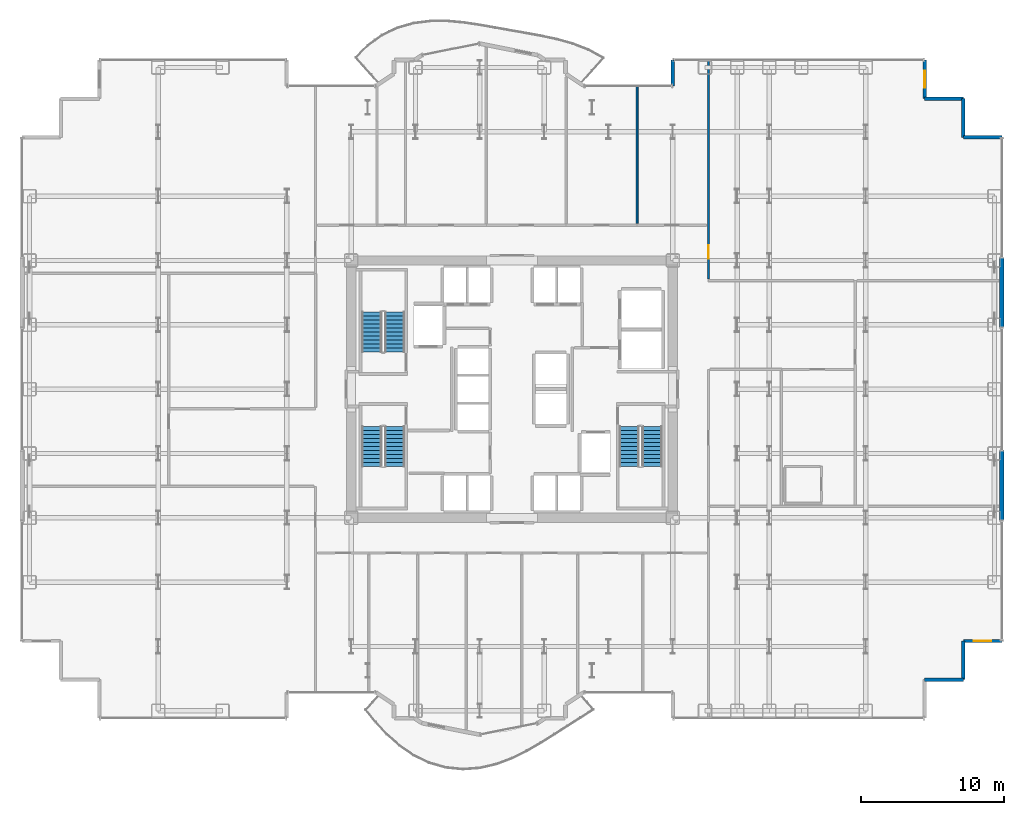
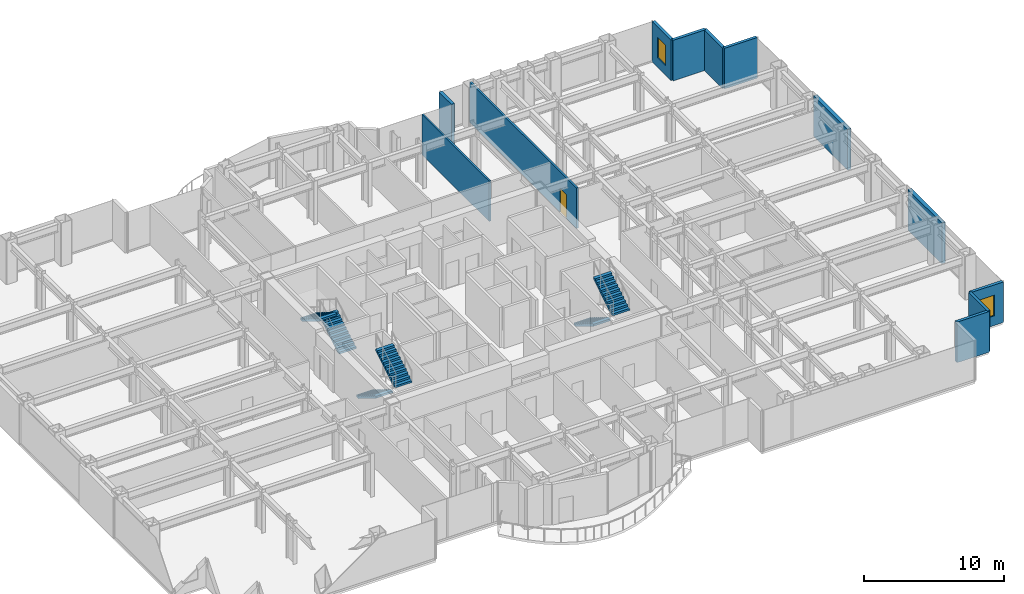
# One storey, part 27 of 29: 12 walls, 6 stair flights, 2 windows, 1 door, 3 openings, 3 elements without a shape of their own.
"""IFC4 building model written with IfcOpenShell, lengths in metres."""

from ifc_helpers import new_model, si_unit, direction, frame, frame_2d, origin, place, context, subcontext, project, spatial, polyline, rectangle, outline, extrude, source, transform, mapped, material, layer, layer_set, type_object, element, fill, aggregate, save


model = new_model("IFC4")

# Units and contexts
model_context = context("Model", 3, precision=1e-05, world=origin(), true_north=direction((0.0, 1.0)))
body_context = subcontext(model_context, "Body", "Model", "MODEL_VIEW")
ifc_project = project(units=[si_unit("LENGTHUNIT", "METRE"), si_unit("AREAUNIT", "SQUARE_METRE"), si_unit("VOLUMEUNIT", "CUBIC_METRE"), si_unit("PLANEANGLEUNIT", "RADIAN"), si_unit("MASSUNIT", "GRAM", prefix="KILO")], contexts=[model_context])

# Site, building, storey
site_placement = place(None, origin())
site = spatial("IfcSite", under=ifc_project, at=site_placement, CompositionType="ELEMENT")
building_placement = place(site_placement, origin())
building = spatial("IfcBuilding", under=site, at=building_placement, Name="Nefas-Gora Pilgrimage Tower", CompositionType="ELEMENT")
storey_placement = place(building_placement, frame((0.0, 0.0, 78.60009765625)))
storey = spatial("IfcBuildingStorey", under=building, at=storey_placement, Name="L18", CompositionType="ELEMENT", Elevation=78.60009765625)

# Walls
ifc_material_1 = material(Name="Precast concrete C40/50", Category="concrete")
ifc_layer_1 = layer(ifc_material_1, 0.260009765625)
ifc_layer_set_1 = layer_set([ifc_layer_1], Name="Precast concrete C40/50")
wall_type_1 = type_object("IfcWallType", Name="EW-PORTAL-260", PredefinedType="SOLIDWALL", material=ifc_layer_set_1)
shared_shape_1 = source(origin(), body_context, "Body", "SweptSolid", [
    extrude(rectangle(XDim=1.800048828125, YDim=0.260009765625, at=frame_2d((0.89990234375, 0.0))), origin(), (0.0, 0.0, 1.0), 3.5498046875),
])
wall_1_placement = place(storey_placement, frame((11.25, 23.02001953125, 0.0), z_axis=(0.0, 0.0, 1.0), x_axis=(0.0, -1.0, 0.0)))
element("IfcWall", 1, at=wall_1_placement, inside=storey, type_object=wall_type_1, Name="L18 Lobe Shoulder Precast Spandrel Pier 14", PredefinedType="SOLIDWALL", context=body_context, shape_type="MappedRepresentation", body=[
    mapped(shared_shape_1, transform((0.0, 0.0, 0.0), x_axis=(1.0, 0.0, 0.0), y_axis=(0.0, 1.0, 0.0), z_axis=(0.0, 0.0, 1.0), scale=1.0)),
])
ifc_material_2 = material(Name="Precast concrete C45/55", Category="concrete")
ifc_layer_2 = layer(ifc_material_2, 0.239990234375)
ifc_layer_set_2 = layer_set([ifc_layer_2], Name="Precast concrete C45/55")
wall_type_2 = type_object("IfcWallType", Name="EW-SERR-240", PredefinedType="SHEAR", material=ifc_layer_set_2)
shared_shape_2 = source(origin(), body_context, "Body", "SweptSolid", [
    extrude(rectangle(XDim=2.699951171875, YDim=0.239990234375, at=frame_2d((1.35009765625, 0.0))), origin(), (0.0, 0.0, 1.0), 3.5498046875),
])
for number, where, z_axis, x_axis, name in (
    (2, (28.8701171875, -20.320068359375, 0.0), (0.0, 0.0, 1.0), (1.0, 0.0, 0.0), "L18 Serrated Corner Shear Pier Wall 7"),
    (3, (31.570068359375, -20.320068359375, 0.0), (0.0, 0.0, 1.0), (0.0, 1.0, 0.0), "L18 Serrated Corner Shear Pier Wall 8"),
):
    element("IfcWall", number, at=place(storey_placement, frame(where, z_axis=z_axis, x_axis=x_axis)), inside=storey, type_object=wall_type_2, Name=name, PredefinedType="SHEAR", context=body_context, shape_type="MappedRepresentation", body=[
        mapped(shared_shape_2, transform((0.0, 0.0, 0.0), x_axis=(1.0, 0.0, 0.0), y_axis=(0.0, 1.0, 0.0), z_axis=(0.0, 0.0, 1.0), scale=1.0)),
    ])

# Wall, opening, window
wall_2_placement = place(storey_placement, frame((31.570068359375, -17.6201171875, 0.0), z_axis=(0.0, 0.0, 1.0), x_axis=(1.0, 0.0, 0.0)))
wall_2 = element("IfcWall", 4, at=wall_2_placement, inside=storey, type_object=wall_type_2, Name="L18 Serrated Corner Shear Pier Wall 9", PredefinedType="SHEAR", context=body_context, shape_type="MappedRepresentation", body=[
    mapped(shared_shape_2, transform((0.0, 0.0, 0.0), x_axis=(1.0, 0.0, 0.0), y_axis=(0.0, 1.0, 0.0), z_axis=(0.0, 0.0, 1.0), scale=1.0)),
])
opening_1_placement = place(wall_2_placement, frame((0.75, 0.0, 0.85009765625)))
opening_1 = element("IfcOpeningElement", 5, at=opening_1_placement, cuts=wall_2, Name="Opening W-V1", PredefinedType="OPENING", context=body_context, shape_type="SweptSolid", body=[
    extrude(rectangle(XDim=1.199951171875, YDim=1.800048828125, at=frame_2d((0.60009765625, 0.89990234375))), frame((0.0, 0.1298828125, 0.0), z_axis=(0.0, -1.0, 0.0), x_axis=(1.0, 0.0, 0.0)), (0.0, 0.0, 1.0), 0.260009765625),
])
ifc_material_3 = material(Name="Dark ceramic-fritted operable aluminium-glass window", Category="aluminium")
window_type = type_object("IfcWindowType", Name="WIN-VENT-1200x1800", PartitioningType="SINGLE_PANEL", PredefinedType="WINDOW", material=ifc_material_3)
shared_shape_3 = source(origin(), body_context, "Body", "SweptSolid", [
    extrude(rectangle(XDim=1.199951171875, YDim=1.800048828125, at=frame_2d((0.60009765625, 0.89990234375))), frame((0.0, 0.030029296875, 0.0), z_axis=(0.0, -1.0, 0.0), x_axis=(1.0, 0.0, 0.0)), (0.0, 0.0, 1.0), 0.06005859375),
])
window_1_placement = place(opening_1_placement, origin())
window_1 = element("IfcWindow", 6, at=window_1_placement, inside=storey, type_object=window_type, Name="L18 Operable Parallel-Outswing Window 9", OverallHeight=1.800048828125, OverallWidth=1.199951171875, PartitioningType="SINGLE_PANEL", PredefinedType="WINDOW", context=body_context, shape_type="MappedRepresentation", body=[
    mapped(shared_shape_3, transform((0.0, 0.0, 0.0), x_axis=(1.0, 0.0, 0.0), y_axis=(0.0, 1.0, 0.0), z_axis=(0.0, 0.0, 1.0), scale=1.0)),
])
fill(opening_1, window_1)

# Walls
for number, where, z_axis, x_axis, name in (
    (7, (34.27001953125, 17.6201171875, 0.0), (0.0, 0.0, 1.0), (-1.0, 0.0, 0.0), "L18 Serrated Corner Shear Pier Wall 10"),
    (8, (31.570068359375, 17.6201171875, 0.0), (0.0, 0.0, 1.0), (0.0, 1.0, 0.0), "L18 Serrated Corner Shear Pier Wall 11"),
    (9, (31.570068359375, 20.320068359375, 0.0), (0.0, 0.0, 1.0), (-1.0, 0.0, 0.0), "L18 Serrated Corner Shear Pier Wall 12"),
):
    element("IfcWall", number, at=place(storey_placement, frame(where, z_axis=z_axis, x_axis=x_axis)), inside=storey, type_object=wall_type_2, Name=name, PredefinedType="SHEAR", context=body_context, shape_type="MappedRepresentation", body=[
        mapped(shared_shape_2, transform((0.0, 0.0, 0.0), x_axis=(1.0, 0.0, 0.0), y_axis=(0.0, 1.0, 0.0), z_axis=(0.0, 0.0, 1.0), scale=1.0)),
    ])

# Wall, opening, window
wall_3_placement = place(storey_placement, frame((28.8701171875, 20.320068359375, 0.0), z_axis=(0.0, 0.0, 1.0), x_axis=(0.0, 1.0, 0.0)))
wall_3 = element("IfcWall", 10, at=wall_3_placement, inside=storey, type_object=wall_type_2, Name="L18 Serrated Corner Shear Pier Wall 13", PredefinedType="SHEAR", context=body_context, shape_type="MappedRepresentation", body=[
    mapped(shared_shape_2, transform((0.0, 0.0, 0.0), x_axis=(1.0, 0.0, 0.0), y_axis=(0.0, 1.0, 0.0), z_axis=(0.0, 0.0, 1.0), scale=1.0)),
])
opening_2_placement = place(wall_3_placement, frame((0.75, 0.0, 0.85009765625)))
opening_2 = element("IfcOpeningElement", 11, at=opening_2_placement, cuts=wall_3, Name="Opening W-V1", PredefinedType="OPENING", context=body_context, shape_type="SweptSolid", body=[
    extrude(rectangle(XDim=1.199951171875, YDim=1.800048828125, at=frame_2d((0.60009765625, 0.89990234375))), frame((0.0, 0.1298828125, 0.0), z_axis=(0.0, -1.0, 0.0), x_axis=(1.0, 0.0, 0.0)), (0.0, 0.0, 1.0), 0.260009765625),
])
window_2_placement = place(opening_2_placement, origin())
window_2 = element("IfcWindow", 12, at=window_2_placement, inside=storey, type_object=window_type, Name="L18 Operable Parallel-Outswing Window 13", OverallHeight=1.800048828125, OverallWidth=1.199951171875, PartitioningType="SINGLE_PANEL", PredefinedType="WINDOW", context=body_context, shape_type="MappedRepresentation", body=[
    mapped(shared_shape_3, transform((0.0, 0.0, 0.0), x_axis=(1.0, 0.0, 0.0), y_axis=(0.0, 1.0, 0.0), z_axis=(0.0, 0.0, 1.0), scale=1.0)),
])
fill(opening_2, window_2)

# Walls
shared_shape_4 = source(origin(), body_context, "Body", "SweptSolid", [
    extrude(rectangle(XDim=4.8798828125, YDim=0.300048828125, at=frame_2d((2.43994140625, 0.0))), origin(), (0.0, 0.0, 1.0), 3.5498046875),
])
for number, where, z_axis, x_axis, name in (
    (13, (34.27001953125, -9.18994140625, 0.0), (0.0, 0.0, 1.0), (0.0, 1.0, 0.0), "L18 Braced-Tube Precast Shear Cladding 3"),
    (14, (34.27001953125, 4.31005859375, 0.0), (0.0, 0.0, 1.0), (0.0, 1.0, 0.0), "L18 Braced-Tube Precast Shear Cladding 4"),
):
    element("IfcWall", number, at=place(storey_placement, frame(where, z_axis=z_axis, x_axis=x_axis)), inside=storey, type_object=wall_type_2, Name=name, PredefinedType="SHEAR", context=body_context, shape_type="MappedRepresentation", body=[
        mapped(shared_shape_4, transform((0.0, 0.0, 0.0), x_axis=(1.0, 0.0, 0.0), y_axis=(0.0, 1.0, 0.0), z_axis=(0.0, 0.0, 1.0), scale=1.0)),
    ])
ifc_material_4 = material(Name="Gypsum twin-stud partition")
ifc_layer_3 = layer(ifc_material_4, 0.139892578125)
ifc_layer_set_3 = layer_set([ifc_layer_3], Name="Gypsum twin-stud partition")
wall_type_3 = type_object("IfcWallType", Name="IW-UNIT-140", PredefinedType="PARTITIONING", material=ifc_layer_set_3)
shared_shape_5 = source(origin(), body_context, "Body", "SweptSolid", [
    extrude(rectangle(XDim=9.64990234375, YDim=0.139892578125, at=frame_2d((4.824951171875, 0.0))), origin(), (0.0, 0.0, 1.0), 3.534912109375),
])
wall_4_placement = place(storey_placement, frame((8.75, 11.590087890625, 0.0), z_axis=(0.0, 0.0, 1.0), x_axis=(0.0, 1.0, 0.0)))
element("IfcWall", 15, at=wall_4_placement, inside=storey, type_object=wall_type_3, Name="L18 Pilgrim Contemplative Lounge Partition Wall 50", PredefinedType="PARTITIONING", context=body_context, shape_type="MappedRepresentation", body=[
    mapped(shared_shape_5, transform((0.0, 0.0, 0.0), x_axis=(1.0, 0.0, 0.0), y_axis=(0.0, 1.0, 0.0), z_axis=(0.0, 0.0, 1.0), scale=1.0)),
])

# Wall, opening, door
ifc_material_5 = material(Name="Gypsum acoustic stud partition")
ifc_layer_4 = layer(ifc_material_5, 0.159912109375)
ifc_layer_set_4 = layer_set([ifc_layer_4], Name="Gypsum acoustic stud partition")
wall_type_4 = type_object("IfcWallType", Name="IW-CORR-160", PredefinedType="PARTITIONING", material=ifc_layer_set_4)
shared_shape_6 = source(origin(), body_context, "Body", "SweptSolid", [
    extrude(rectangle(XDim=15.3349609375, YDim=0.159912109375, at=frame_2d((7.66748046875, 0.0))), origin(), (0.0, 0.0, 1.0), 3.534912109375),
])
wall_5_placement = place(storey_placement, frame((13.739990234375, 7.705078125, 0.0), z_axis=(0.0, 0.0, 1.0), x_axis=(0.0, 1.0, 0.0)))
wall_5 = element("IfcWall", 16, at=wall_5_placement, inside=storey, type_object=wall_type_4, Name="L18 Pilgrim Contemplative Lounge Partition Wall 43", PredefinedType="PARTITIONING", context=body_context, shape_type="MappedRepresentation", body=[
    mapped(shared_shape_6, transform((0.0, 0.0, 0.0), x_axis=(1.0, 0.0, 0.0), y_axis=(0.0, 1.0, 0.0), z_axis=(0.0, 0.0, 1.0), scale=1.0)),
])
opening_3_placement = place(wall_5_placement, frame((1.427490234375, 0.0, 0.0)))
opening_3 = element("IfcOpeningElement", 17, at=opening_3_placement, cuts=wall_5, Name="Opening ID-GR1", PredefinedType="OPENING", context=body_context, shape_type="SweptSolid", body=[
    extrude(rectangle(XDim=0.949951171875, YDim=2.10009765625, at=frame_2d((0.47509765625, 1.050048828125))), frame((0.0, 0.08984375, 0.0), z_axis=(0.0, -1.0, 0.0), x_axis=(1.0, 0.0, 0.0)), (0.0, 0.0, 1.0), 0.179931640625),
])
ifc_material_6 = material(Name="Solid core oak fire-rated guest entrance door")
door_type = type_object("IfcDoorType", Name="DR-INT-GUEST-950", OperationType="NOTDEFINED", PredefinedType="DOOR", material=ifc_material_6)
shared_shape_7 = source(origin(), body_context, "Body", "SweptSolid", [
    extrude(rectangle(XDim=0.949951171875, YDim=2.10009765625, at=frame_2d((0.47509765625, 1.050048828125))), frame((0.0, 0.02490234375, 0.0), z_axis=(0.0, -1.0, 0.0), x_axis=(1.0, 0.0, 0.0)), (0.0, 0.0, 1.0), 0.050048828125),
])
door_placement = place(opening_3_placement, origin())
door = element("IfcDoor", 18, at=door_placement, inside=storey, type_object=door_type, Name="L18 Pilgrim Contemplative Lounge Door 18", OperationType="SINGLE_SWING_LEFT", OverallHeight=2.10009765625, OverallWidth=0.949951171875, PredefinedType="DOOR", context=body_context, shape_type="MappedRepresentation", body=[
    mapped(shared_shape_7, transform((0.0, 0.0, 0.0), x_axis=(1.0, 0.0, 0.0), y_axis=(0.0, 1.0, 0.0), z_axis=(0.0, 0.0, 1.0), scale=1.0)),
])
fill(opening_3, door)

# Stair, stair flights
ifc_material_7 = material(Name="Concrete C45/55", Category="concrete")
stair_type = type_object("IfcStairType", Name="STR-1400-R1727", PredefinedType="HALF_TURN_STAIR", material=ifc_material_7)
stair_1_placement = place(storey_placement, origin())
stair_1 = element("IfcStair", 19, at=stair_1_placement, inside=storey, type_object=stair_type, Name="L18 Pressurised Tower Exit Stair ST-01", PredefinedType="HALF_TURN_STAIR")
stair_flight_type = type_object("IfcStairFlightType", Name="STF-1400-R1727", PredefinedType="STRAIGHT", material=ifc_material_7)
shared_shape_8 = source(origin(), body_context, "Body", "SweptSolid", [
    extrude(outline(polyline([(0.0, 0.0), (0.0, 0.172607421875), (0.280029296875, 0.172607421875), (0.280029296875, 0.345458984375), (0.56005859375, 0.345458984375), (0.56005859375, 0.51806640625), (0.840087890625, 0.51806640625), (0.840087890625, 0.69091796875), (1.1201171875, 0.69091796875), (1.1201171875, 0.863525390625), (1.39990234375, 0.863525390625), (1.39990234375, 1.036376953125), (1.679931640625, 1.036376953125), (1.679931640625, 1.208984375), (1.9599609375, 1.208984375), (1.9599609375, 1.3818359375), (2.239990234375, 1.3818359375), (2.239990234375, 1.554443359375), (2.52001953125, 1.554443359375), (2.52001953125, 1.727294921875), (2.800048828125, 1.727294921875), (2.800048828125, 1.89990234375), (2.800048828125, 1.551025390625), (0.285400390625, 0.0), (0.0, 0.0)])), frame((0.0, 0.699951171875, 0.0), z_axis=(0.0, -1.0, 0.0), x_axis=(1.0, 0.0, 0.0)), (0.0, 0.0, 1.0), 1.39990234375),
])
stair_flight_1_placement = place(storey_placement, frame((-8.199951171875, 2.60009765625, 0.0), z_axis=(0.0, 0.0, 1.0), x_axis=(0.0, 1.0, 0.0)))
stair_flight_1 = element("IfcStairFlight", 20, at=stair_flight_1_placement, type_object=stair_flight_type, Name="ST-01 flight 1", NumberOfRisers=11, NumberOfTreads=10, PredefinedType="STRAIGHT", RiserHeight=0.172727273, TreadLength=0.28, context=body_context, shape_type="MappedRepresentation", body=[
    mapped(shared_shape_8, transform((0.0, 0.0, 0.0), x_axis=(1.0, 0.0, 0.0), y_axis=(0.0, 1.0, 0.0), z_axis=(0.0, 0.0, 1.0), scale=1.0)),
])
stair_flight_2_placement = place(storey_placement, frame((-9.800048828125, 5.39990234375, 1.89990234375), z_axis=(0.0, 0.0, 1.0), x_axis=(0.0, -1.0, 0.0)))
stair_flight_2 = element("IfcStairFlight", 21, at=stair_flight_2_placement, type_object=stair_flight_type, Name="ST-01 flight 2", NumberOfRisers=11, NumberOfTreads=10, PredefinedType="STRAIGHT", RiserHeight=0.172727273, TreadLength=0.28, context=body_context, shape_type="MappedRepresentation", body=[
    mapped(shared_shape_8, transform((0.0, 0.0, 0.0), x_axis=(1.0, 0.0, 0.0), y_axis=(0.0, 1.0, 0.0), z_axis=(0.0, 0.0, 1.0), scale=1.0)),
])
aggregate(stair_1, [stair_flight_1, stair_flight_2])

stair_2_placement = place(storey_placement, origin())
stair_2 = element("IfcStair", 22, at=stair_2_placement, inside=storey, type_object=stair_type, Name="L18 Pressurised Tower Exit Stair ST-02", PredefinedType="HALF_TURN_STAIR")
stair_flight_3_placement = place(storey_placement, frame((8.199951171875, -2.60009765625, 0.0), z_axis=(0.0, 0.0, 1.0), x_axis=(0.0, -1.0, 0.0)))
stair_flight_3 = element("IfcStairFlight", 23, at=stair_flight_3_placement, type_object=stair_flight_type, Name="ST-02 flight 1", NumberOfRisers=11, NumberOfTreads=10, PredefinedType="STRAIGHT", RiserHeight=0.172727273, TreadLength=0.28, context=body_context, shape_type="MappedRepresentation", body=[
    mapped(shared_shape_8, transform((0.0, 0.0, 0.0), x_axis=(1.0, 0.0, 0.0), y_axis=(0.0, 1.0, 0.0), z_axis=(0.0, 0.0, 1.0), scale=1.0)),
])
stair_flight_4_placement = place(storey_placement, frame((9.800048828125, -5.39990234375, 1.89990234375), z_axis=(0.0, 0.0, 1.0), x_axis=(0.0, 1.0, 0.0)))
stair_flight_4 = element("IfcStairFlight", 24, at=stair_flight_4_placement, type_object=stair_flight_type, Name="ST-02 flight 2", NumberOfRisers=11, NumberOfTreads=10, PredefinedType="STRAIGHT", RiserHeight=0.172727273, TreadLength=0.28, context=body_context, shape_type="MappedRepresentation", body=[
    mapped(shared_shape_8, transform((0.0, 0.0, 0.0), x_axis=(1.0, 0.0, 0.0), y_axis=(0.0, 1.0, 0.0), z_axis=(0.0, 0.0, 1.0), scale=1.0)),
])
aggregate(stair_2, [stair_flight_3, stair_flight_4])

stair_3_placement = place(storey_placement, origin())
stair_3 = element("IfcStair", 25, at=stair_3_placement, inside=storey, type_object=stair_type, Name="L18 Pressurised Tower Exit Stair ST-03", PredefinedType="HALF_TURN_STAIR")
stair_flight_5_placement = place(storey_placement, frame((-9.800048828125, -2.60009765625, 0.0), z_axis=(0.0, 0.0, 1.0), x_axis=(0.0, -1.0, 0.0)))
stair_flight_5 = element("IfcStairFlight", 26, at=stair_flight_5_placement, type_object=stair_flight_type, Name="ST-03 flight 1", NumberOfRisers=11, NumberOfTreads=10, PredefinedType="STRAIGHT", RiserHeight=0.172727273, TreadLength=0.28, context=body_context, shape_type="MappedRepresentation", body=[
    mapped(shared_shape_8, transform((0.0, 0.0, 0.0), x_axis=(1.0, 0.0, 0.0), y_axis=(0.0, 1.0, 0.0), z_axis=(0.0, 0.0, 1.0), scale=1.0)),
])
stair_flight_6_placement = place(storey_placement, frame((-8.199951171875, -5.39990234375, 1.89990234375), z_axis=(0.0, 0.0, 1.0), x_axis=(0.0, 1.0, 0.0)))
stair_flight_6 = element("IfcStairFlight", 27, at=stair_flight_6_placement, type_object=stair_flight_type, Name="ST-03 flight 2", NumberOfRisers=11, NumberOfTreads=10, PredefinedType="STRAIGHT", RiserHeight=0.172727273, TreadLength=0.28, context=body_context, shape_type="MappedRepresentation", body=[
    mapped(shared_shape_8, transform((0.0, 0.0, 0.0), x_axis=(1.0, 0.0, 0.0), y_axis=(0.0, 1.0, 0.0), z_axis=(0.0, 0.0, 1.0), scale=1.0)),
])
aggregate(stair_3, [stair_flight_5, stair_flight_6])

save(model, "model.ifc")
